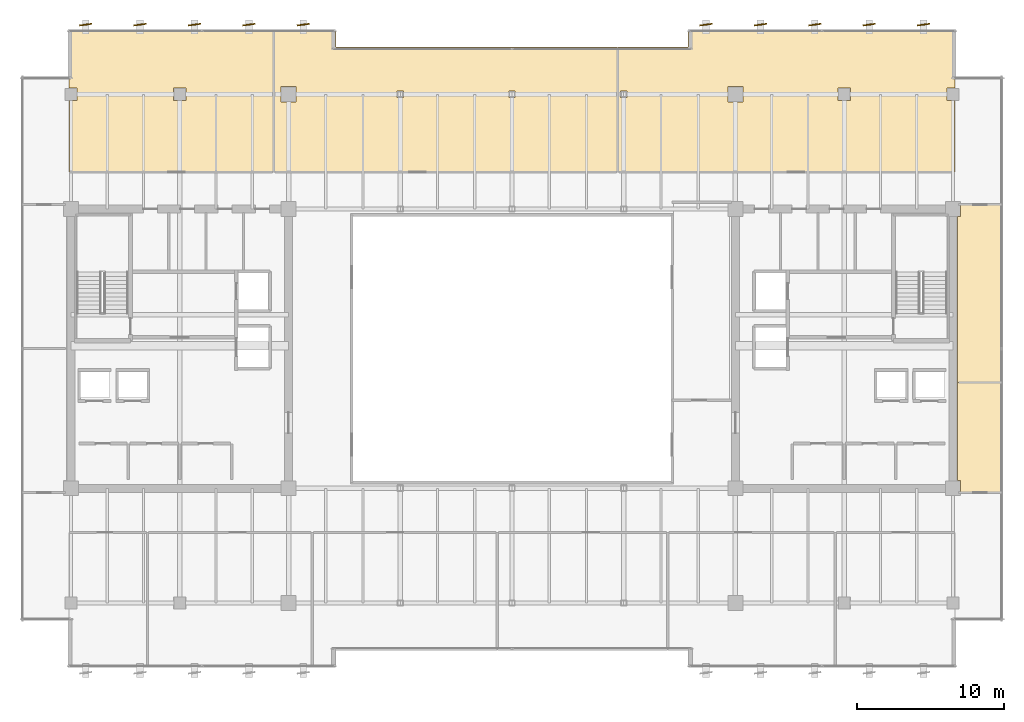
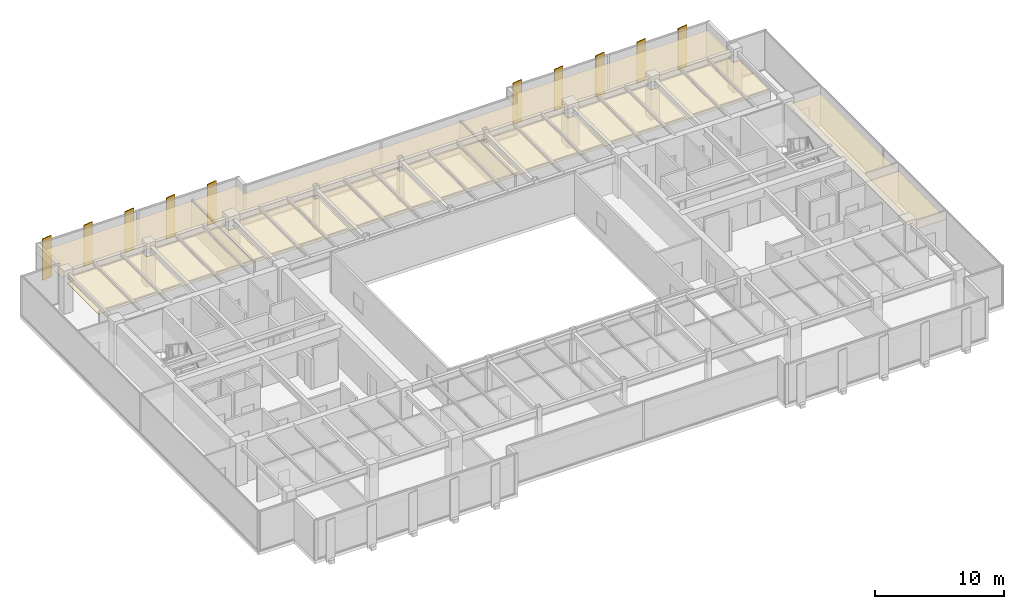
# One storey, part 36 of 36: 10 shading devices, 5 coverings.
"""IFC4 building model written with IfcOpenShell, lengths in metres."""

import ifcopenshell
import ifcopenshell.guid

model = None  # the IFC model being written
_history = None  # IfcOwnerHistory: only IFC2X3 demands one
_inside = {}  # id of a spatial element -> (the spatial element, [elements in it])
_under = {}  # id of a project, library or spatial element -> (it, [spatial elements below it])
_declared = {}  # id of a project -> (the project, [libraries it declares])
_typed = {}  # id of a type object -> (the type object, [elements of that type])
_made_of = {}  # id of a material, layer set ... -> (it, [elements and type objects made of it])


def new_model(schema):
    """Start an empty IFC model of exactly this schema.

    Asked for "IFC4X3", IfcOpenShell would pick the latest addendum, in which some entities
    have other attributes; the version numbers below select the first issue.
    IFC2X3 requires an IfcOwnerHistory on every rooted entity: one is made here for all.
    """
    global model, _history
    if schema == "IFC4X3":
        model = ifcopenshell.file(schema_version=(4, 3, 0, 0))
    else:
        model = ifcopenshell.file(schema=schema)
    _inside.clear()
    _under.clear()
    _declared.clear()
    _typed.clear()
    _made_of.clear()
    _history = None
    if model.schema == "IFC2X3":
        org = make("IfcOrganization", Name="unknown")
        user = make(
            "IfcPersonAndOrganization",
            ThePerson=make("IfcPerson", FamilyName="unknown"),
            TheOrganization=org,
        )
        app = make(
            "IfcApplication",
            ApplicationDeveloper=org,
            Version="unknown",
            ApplicationFullName="unknown",
            ApplicationIdentifier="unknown",
        )
        _history = make(
            "IfcOwnerHistory",
            OwningUser=user,
            OwningApplication=app,
            ChangeAction="ADDED",
            CreationDate=0,
        )
    return model


def make(cls, **values):
    """One entity of the class cls with the attributes given. An attribute that is None is left unset."""
    return model.create_entity(
        cls, **{name: value for name, value in values.items() if value is not None}
    )


def rooted(cls, **values):
    """An entity with a GlobalId (a new one), such as an element, a storey or a relation."""
    return make(cls, GlobalId=ifcopenshell.guid.new(), OwnerHistory=_history, **values)


def si_unit(unit_type, name, prefix=None):
    """IfcSIUnit, for example si_unit("LENGTHUNIT", "METRE", prefix="MILLI")."""
    return make("IfcSIUnit", UnitType=unit_type, Prefix=prefix, Name=name)


def assignment(units):
    """IfcUnitAssignment: the units of a project."""
    return None if units is None else make("IfcUnitAssignment", Units=units)


def point(xyz):
    """IfcCartesianPoint."""
    return None if xyz is None else make("IfcCartesianPoint", Coordinates=xyz)


def direction(xyz):
    """IfcDirection."""
    return None if xyz is None else make("IfcDirection", DirectionRatios=xyz)


def frame(location, z_axis=None, x_axis=None):
    """IfcAxis2Placement3D, a coordinate frame: its origin and axes. An axis left out is left unset."""
    return make(
        "IfcAxis2Placement3D",
        Location=point(location),
        Axis=direction(z_axis),
        RefDirection=direction(x_axis),
    )


def frame_2d(location, x_axis=None):
    """IfcAxis2Placement2D, a coordinate frame in the plane: its origin and x axis."""
    return make(
        "IfcAxis2Placement2D", Location=point(location), RefDirection=direction(x_axis)
    )


def origin():
    """The frame at (0, 0, 0) with its axes left unset."""
    return frame((0.0, 0.0, 0.0))


def origin_2d():
    """The frame at (0, 0) in the plane with its x axis left unset."""
    return frame_2d((0.0, 0.0))


def place(relative_to, where):
    """IfcLocalPlacement: puts the frame where relative to a parent placement (None: the world)."""
    return make(
        "IfcLocalPlacement", PlacementRelTo=relative_to, RelativePlacement=where
    )


def context(
    kind, dimensions, precision=None, world=None, true_north=None, identifier=None
):
    """IfcGeometricRepresentationContext, for example the 3D "Model" context."""
    return make(
        "IfcGeometricRepresentationContext",
        ContextIdentifier=identifier,
        ContextType=kind,
        CoordinateSpaceDimension=dimensions,
        Precision=precision,
        WorldCoordinateSystem=world,
        TrueNorth=true_north,
    )


def subcontext(parent, identifier, kind, view, scale=None):
    """IfcGeometricRepresentationSubContext, for example "Body" below "Model"."""
    return make(
        "IfcGeometricRepresentationSubContext",
        ContextIdentifier=identifier,
        ContextType=kind,
        ParentContext=parent,
        TargetScale=scale,
        TargetView=view,
    )


def project(units=None, contexts=None):
    """IfcProject with its units and contexts."""
    return rooted(
        "IfcProject",
        Name="project",
        RepresentationContexts=contexts,
        UnitsInContext=assignment(units),
    )


def spatial(cls, under=None, at=None, **own):
    """A site, building, storey or space (cls), placed at a placement, below another one or the project."""
    s = rooted(cls, ObjectPlacement=at, **own)
    if under is not None:
        _under.setdefault(under.id(), (under, []))[1].append(s)
    return s


def polyline(points):
    """IfcPolyline through the points."""
    return make("IfcPolyline", Points=[point(p) for p in points])


def profile(cls, at=None, kind="AREA", **sizes):
    """A parametric profile (cls). Its sizes go by their IFC names, for example OverallWidth=200.0."""
    return make(cls, ProfileType=kind, Position=at, **sizes)


def rectangle(**sizes):
    """IfcRectangleProfileDef."""
    return profile("IfcRectangleProfileDef", **sizes)


def outline(outer, holes=None, kind="AREA"):
    """IfcArbitraryClosedProfileDef: a profile drawn as a closed curve; with holes, ...WithVoids."""
    if holes is None:
        return make("IfcArbitraryClosedProfileDef", ProfileType=kind, OuterCurve=outer)
    return make(
        "IfcArbitraryProfileDefWithVoids",
        ProfileType=kind,
        OuterCurve=outer,
        InnerCurves=holes,
    )


def extrude(swept, where, along, depth):
    """IfcExtrudedAreaSolid: the profile swept, set in the frame where, extruded along a direction by depth."""
    return make(
        "IfcExtrudedAreaSolid",
        SweptArea=swept,
        Position=where,
        ExtrudedDirection=direction(along),
        Depth=depth,
    )


def shape(context_of_items, identifier, shape_type, items):
    """IfcShapeRepresentation: the items that make up one representation, for example the "Body"."""
    return make(
        "IfcShapeRepresentation",
        ContextOfItems=context_of_items,
        RepresentationIdentifier=identifier,
        RepresentationType=shape_type,
        Items=items,
    )


def source(mapping_origin, context_of_items, identifier, shape_type, items):
    """IfcRepresentationMap: a shape defined once, which mapped items show again and again."""
    return make(
        "IfcRepresentationMap",
        MappingOrigin=mapping_origin,
        MappedRepresentation=shape(context_of_items, identifier, shape_type, items),
    )


def transform(
    local_origin,
    x_axis=None,
    y_axis=None,
    z_axis=None,
    scale=None,
    scale2=None,
    scale3=None,
    uniform=True,
):
    """IfcCartesianTransformationOperator3D, or its non-uniform kind. x_axis, y_axis, z_axis: its Axis1, 2, 3."""
    if uniform:
        return make(
            "IfcCartesianTransformationOperator3D",
            Axis1=direction(x_axis),
            Axis2=direction(y_axis),
            LocalOrigin=point(local_origin),
            Scale=scale,
            Axis3=direction(z_axis),
        )
    return make(
        "IfcCartesianTransformationOperator3DnonUniform",
        Axis1=direction(x_axis),
        Axis2=direction(y_axis),
        LocalOrigin=point(local_origin),
        Scale=scale,
        Axis3=direction(z_axis),
        Scale2=scale2,
        Scale3=scale3,
    )


def mapped(mapping_source, mapping_target):
    """IfcMappedItem: shows the shape of a source again, moved by a transform."""
    return make(
        "IfcMappedItem", MappingSource=mapping_source, MappingTarget=mapping_target
    )


def material(Name=None, Category=None):
    """IfcMaterial."""
    return make("IfcMaterial", Name=Name, Category=Category)


def layer(
    of_material, thickness, ventilated=None, Name=None, Category=None, Priority=None
):
    """IfcMaterialLayer: one layer of a wall or slab, of a material (None: an air gap)."""
    return make(
        "IfcMaterialLayer",
        Material=of_material,
        LayerThickness=thickness,
        IsVentilated=ventilated,
        Name=Name,
        Category=Category,
        Priority=Priority,
    )


def layer_set(layers, Name=None):
    """IfcMaterialLayerSet."""
    return make("IfcMaterialLayerSet", MaterialLayers=layers, LayerSetName=Name)


def material_profile(
    of_material, cross_section, Name=None, Category=None, Priority=None
):
    """IfcMaterialProfile: a cross section and its material."""
    return make(
        "IfcMaterialProfile",
        Name=Name,
        Material=of_material,
        Profile=cross_section,
        Priority=Priority,
        Category=Category,
    )


def profile_set(profiles, Name=None, composite=None):
    """IfcMaterialProfileSet."""
    return make(
        "IfcMaterialProfileSet",
        Name=Name,
        MaterialProfiles=profiles,
        CompositeProfile=composite,
    )


def made_of(thing, what):
    """Note that an element or type object is made of a material, layer set ...; save() writes the relation."""
    if what is not None:
        _made_of.setdefault(what.id(), (what, []))[1].append(thing)
    return thing


def type_object(cls, material=None, **own):
    """A type object (cls), such as IfcWallType, which elements share."""
    return made_of(rooted(cls, **own), material)


def type_shapes(of_type, sources):
    """Give a type object the sources (RepresentationMaps) that its elements show as mapped items."""
    of_type.RepresentationMaps = sources


def element(
    cls,
    number,
    at=None,
    inside=None,
    cuts=None,
    type_object=None,
    material=None,
    context=None,
    identifier="Body",
    shape_type=None,
    held_by="IfcProductDefinitionShape",
    body=None,
    shapes=None,
    **own,
):
    """One element of the class cls, such as IfcWall. Its Tag is "e" and its number.

    at: its placement. inside: the storey or other place that contains it. cuts: it is an
    opening in that element (IfcRelVoidsElement). A single representation is given by context,
    identifier, shape_type and body (its items); several are given by shapes. held_by: the class
    of the entity that holds the representations. save() writes the other relations.
    """
    e = rooted(cls, Tag="e%d" % number, ObjectPlacement=at, **own)
    if body is not None:
        shapes = [shape(context, identifier, shape_type, body)]
    if shapes is not None:
        e.Representation = make(held_by, Representations=shapes)
    if inside is not None:
        _inside.setdefault(inside.id(), (inside, []))[1].append(e)
    if cuts is not None:
        rooted(
            "IfcRelVoidsElement", RelatingBuildingElement=cuts, RelatedOpeningElement=e
        )
    if type_object is not None:
        _typed.setdefault(type_object.id(), (type_object, []))[1].append(e)
    return made_of(e, material)


def aggregate(whole, parts):
    """IfcRelAggregates: a whole, such as a stair, and the parts it consists of."""
    return rooted("IfcRelAggregates", RelatingObject=whole, RelatedObjects=parts)


def save(model, path):
    """Write the relations noted so far, then the file.

    IfcRelAggregates (storeys below a building ...), IfcRelContainedInSpatialStructure (elements
    in a storey), IfcRelDefinesByType, IfcRelAssociatesMaterial and IfcRelDeclares: one each for
    every whole, place, type object, material and project.
    """
    for whole, parts in _under.values():
        aggregate(whole, parts)
    for where, things in _inside.values():
        rooted(
            "IfcRelContainedInSpatialStructure",
            RelatedElements=things,
            RelatingStructure=where,
        )
    for kind, things in _typed.values():
        rooted("IfcRelDefinesByType", RelatedObjects=things, RelatingType=kind)
    for what, things in _made_of.values():
        rooted("IfcRelAssociatesMaterial", RelatedObjects=things, RelatingMaterial=what)
    for by, libraries in _declared.values():
        rooted("IfcRelDeclares", RelatingContext=by, RelatedDefinitions=libraries)
    model.write(path)


model = new_model("IFC4")

# Units and contexts
model_context = context("Model", 3, precision=1e-05, world=origin(), true_north=direction((0.0, 1.0)))
body_context = subcontext(model_context, "Body", "Model", "MODEL_VIEW")
ifc_project = project(units=[si_unit("LENGTHUNIT", "METRE"), si_unit("AREAUNIT", "SQUARE_METRE"), si_unit("VOLUMEUNIT", "CUBIC_METRE"), si_unit("PLANEANGLEUNIT", "RADIAN"), si_unit("MASSUNIT", "GRAM", prefix="KILO")], contexts=[model_context])

# Site, building, storey
site_placement = place(None, origin())
site = spatial("IfcSite", under=ifc_project, at=site_placement, CompositionType="ELEMENT")
building_placement = place(site_placement, origin())
building = spatial("IfcBuilding", under=site, at=building_placement, Name="Haelvirn Gate Laboratories", CompositionType="ELEMENT")
storey_placement = place(building_placement, frame((0.0, 0.0, 242.39990234375)))
storey = spatial("IfcBuildingStorey", under=building, at=storey_placement, Name="L58", CompositionType="ELEMENT", Elevation=242.39990234375)

# Coverings
ifc_material_1 = material(Name="Micro-perforated acoustic mineral-fibre laboratory ceiling")
ifc_layer = layer(ifc_material_1, 0.0400390625, Name="COV-CEIL-ACT")
ifc_layer_set = layer_set([ifc_layer], Name="Micro-perforated acoustic mineral-fibre laboratory ceiling")
covering_type = type_object("IfcCoveringType", Name="COV-CEIL-ACT", PredefinedType="CEILING", material=ifc_layer_set)
covering_1_placement = place(storey_placement, frame((0.0, 0.0, 2.880126953125)))
element("IfcCovering", 1, at=covering_1_placement, inside=storey, type_object=covering_type, Name="L58 Laboratory Acoustic Ceiling CEIL-SP-L58-N-01", PredefinedType="CEILING", context=body_context, shape_type="SweptSolid", body=[
    extrude(outline(polyline([(7.25, 41.179931640625), (7.820068359375, 41.179931640625), (7.820068359375, 42.02001953125), (7.25, 42.02001953125), (7.25, 45.949951171875), (21.179931640625, 45.949951171875), (21.179931640625, 36.320068359375), (7.25, 36.320068359375), (7.25, 41.179931640625)]), holes=[polyline([(14.3798828125, 42.02001953125), (14.3798828125, 41.179931640625), (15.219970703125, 41.179931640625), (15.219970703125, 42.02001953125), (14.3798828125, 42.02001953125)])]), origin(), (0.0, 0.0, 1.0), 0.0400390625),
])
covering_2_placement = place(storey_placement, frame((0.0, 0.0, 2.880126953125)))
element("IfcCovering", 2, at=covering_2_placement, inside=storey, type_object=covering_type, Name="L58 Laboratory Acoustic Ceiling CEIL-SP-L58-N-02", PredefinedType="CEILING", context=body_context, shape_type="SweptSolid", body=[
    extrude(outline(polyline([(21.219970703125, 36.320068359375), (21.219970703125, 45.949951171875), (25.419921875, 45.949951171875), (25.419921875, 44.820068359375), (44.580078125, 44.820068359375), (44.580078125, 36.320068359375), (21.219970703125, 36.320068359375)]), holes=[polyline([(21.679931640625, 41.080078125), (22.719970703125, 41.080078125), (22.719970703125, 42.1201171875), (21.679931640625, 42.1201171875), (21.679931640625, 41.080078125)]), polyline([(29.580078125, 41.820068359375), (29.580078125, 41.3798828125), (30.02001953125, 41.3798828125), (30.02001953125, 41.820068359375), (29.580078125, 41.820068359375)]), polyline([(37.6201171875, 41.820068359375), (37.179931640625, 41.820068359375), (37.179931640625, 41.3798828125), (37.6201171875, 41.3798828125), (37.6201171875, 41.820068359375)])]), origin(), (0.0, 0.0, 1.0), 0.0400390625),
])
covering_3_placement = place(storey_placement, frame((0.0, 0.0, 2.880126953125)))
element("IfcCovering", 3, at=covering_3_placement, inside=storey, type_object=covering_type, Name="L58 Laboratory Acoustic Ceiling CEIL-SP-L58-N-03", PredefinedType="CEILING", context=body_context, shape_type="SweptSolid", body=[
    extrude(outline(polyline([(66.97998046875, 42.02001953125), (66.97998046875, 41.179931640625), (67.550048828125, 41.179931640625), (67.550048828125, 36.320068359375), (44.6201171875, 36.320068359375), (44.6201171875, 44.820068359375), (49.3798828125, 44.820068359375), (49.3798828125, 45.949951171875), (67.550048828125, 45.949951171875), (67.550048828125, 42.02001953125), (66.97998046875, 42.02001953125)]), holes=[polyline([(53.1201171875, 41.080078125), (53.1201171875, 42.1201171875), (52.080078125, 42.1201171875), (52.080078125, 41.080078125), (53.1201171875, 41.080078125)]), polyline([(59.580078125, 41.179931640625), (60.419921875, 41.179931640625), (60.419921875, 42.02001953125), (59.580078125, 42.02001953125), (59.580078125, 41.179931640625)]), polyline([(45.219970703125, 41.820068359375), (44.780029296875, 41.820068359375), (44.780029296875, 41.3798828125), (45.219970703125, 41.3798828125), (45.219970703125, 41.820068359375)])]), origin(), (0.0, 0.0, 1.0), 0.0400390625),
])
covering_4_placement = place(storey_placement, frame((0.0, 0.0, 2.880126953125)))
element("IfcCovering", 4, at=covering_4_placement, inside=storey, type_object=covering_type, Name="L58 Laboratory Acoustic Ceiling CEIL-SP-L58-EZ3-S", PredefinedType="CEILING", context=body_context, shape_type="SweptSolid", body=[
    extrude(outline(polyline([(70.75, 21.989990234375), (70.75, 14.52490234375), (67.919921875, 14.52490234375), (67.919921875, 15.320068359375), (67.719970703125, 15.320068359375), (67.719970703125, 21.989990234375), (70.75, 21.989990234375)])), origin(), (0.0, 0.0, 1.0), 0.0400390625),
])
covering_5_placement = place(storey_placement, frame((0.0, 0.0, 2.880126953125)))
element("IfcCovering", 5, at=covering_5_placement, inside=storey, type_object=covering_type, Name="L58 Laboratory Acoustic Ceiling CEIL-SP-L58-EZ3-N", PredefinedType="CEILING", context=body_context, shape_type="SweptSolid", body=[
    extrude(outline(polyline([(70.75, 34.074951171875), (70.75, 22.010009765625), (67.719970703125, 22.010009765625), (67.719970703125, 33.280029296875), (67.919921875, 33.280029296875), (67.919921875, 34.074951171875), (70.75, 34.074951171875)])), origin(), (0.0, 0.0, 1.0), 0.0400390625),
])

# Shading devices
ifc_material_2 = material(Name="Extruded aluminium 6063-T6 (anodised bronze)", Category="aluminium")
ifc_material_profile = material_profile(ifc_material_2, rectangle(XDim=0.074951171875, YDim=0.85009765625, at=origin_2d()), Name="FIN-850x75")
ifc_profile_set = profile_set([ifc_material_profile], Name="Extruded aluminium 6063-T6 (anodised bronze)")
shading_device_type = type_object("IfcShadingDeviceType", Name="SHD-FIN-850", PredefinedType="USERDEFINED", material=ifc_profile_set)
shared_shape = source(origin(), body_context, "Body", "SweptSolid", [
    extrude(rectangle(XDim=0.074951171875, YDim=0.85009765625, at=origin_2d()), origin(), (0.0, 0.0, 1.0), 3.919921875),
])
type_shapes(shading_device_type, [shared_shape])
for number, where, z_axis, x_axis, name in (
    (6, (8.39990234375, 46.344970703125, -0.179931640625), (0.0, 0.0, 1.0), (-0.132256390257, 0.991215540252, 0.0), "L58 Fluted Bronze Vertical Fin N01"),
    (7, (12.10009765625, 46.344970703125, -0.179931640625), (0.0, 0.0, 1.0), (-0.132256390257, 0.991215540252, 0.0), "L58 Fluted Bronze Vertical Fin N02"),
    (8, (15.800048828125, 46.344970703125, -0.179931640625), (0.0, 0.0, 1.0), (-0.132256390257, 0.991215540252, 0.0), "L58 Fluted Bronze Vertical Fin N03"),
    (9, (19.5, 46.344970703125, -0.179931640625), (0.0, 0.0, 1.0), (-0.132256390257, 0.991215540252, 0.0), "L58 Fluted Bronze Vertical Fin N04"),
    (10, (23.199951171875, 46.344970703125, -0.179931640625), (0.0, 0.0, 1.0), (-0.132256390257, 0.991215540252, 0.0), "L58 Fluted Bronze Vertical Fin N05"),
    (11, (50.60009765625, 46.344970703125, -0.179931640625), (0.0, 0.0, 1.0), (-0.132256390257, 0.991215540252, 0.0), "L58 Fluted Bronze Vertical Fin N06"),
    (12, (54.300048828125, 46.344970703125, -0.179931640625), (0.0, 0.0, 1.0), (-0.132256390257, 0.991215540252, 0.0), "L58 Fluted Bronze Vertical Fin N07"),
    (13, (58.0, 46.344970703125, -0.179931640625), (0.0, 0.0, 1.0), (-0.132256390257, 0.991215540252, 0.0), "L58 Fluted Bronze Vertical Fin N08"),
    (14, (61.699951171875, 46.344970703125, -0.179931640625), (0.0, 0.0, 1.0), (-0.132256390257, 0.991215540252, 0.0), "L58 Fluted Bronze Vertical Fin N09"),
    (15, (65.39990234375, 46.344970703125, -0.179931640625), (0.0, 0.0, 1.0), (-0.132256390257, 0.991215540252, 0.0), "L58 Fluted Bronze Vertical Fin N10"),
):
    element("IfcShadingDevice", number, at=place(storey_placement, frame(where, z_axis=z_axis, x_axis=x_axis)), inside=storey, type_object=shading_device_type, Name=name, ObjectType="FIN", PredefinedType="USERDEFINED", context=body_context, shape_type="MappedRepresentation", body=[
        mapped(shared_shape, transform((0.0, 0.0, 0.0), scale=1.0)),
    ])

save(model, "model.ifc")
